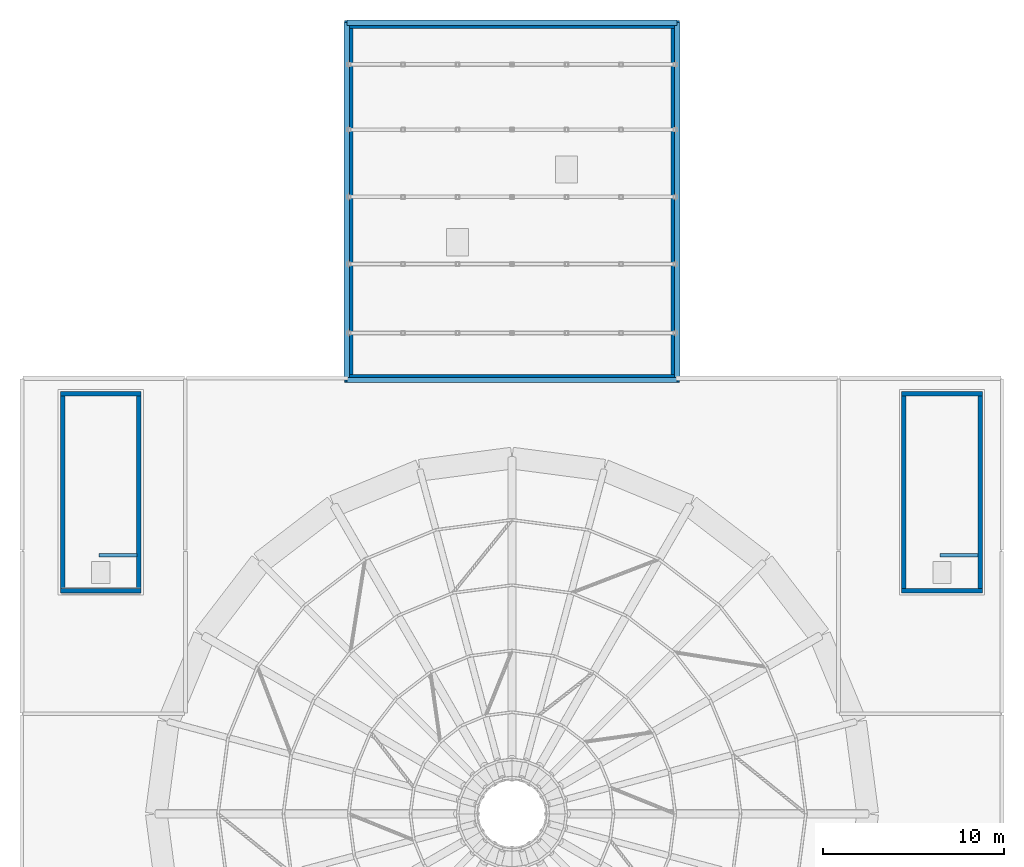
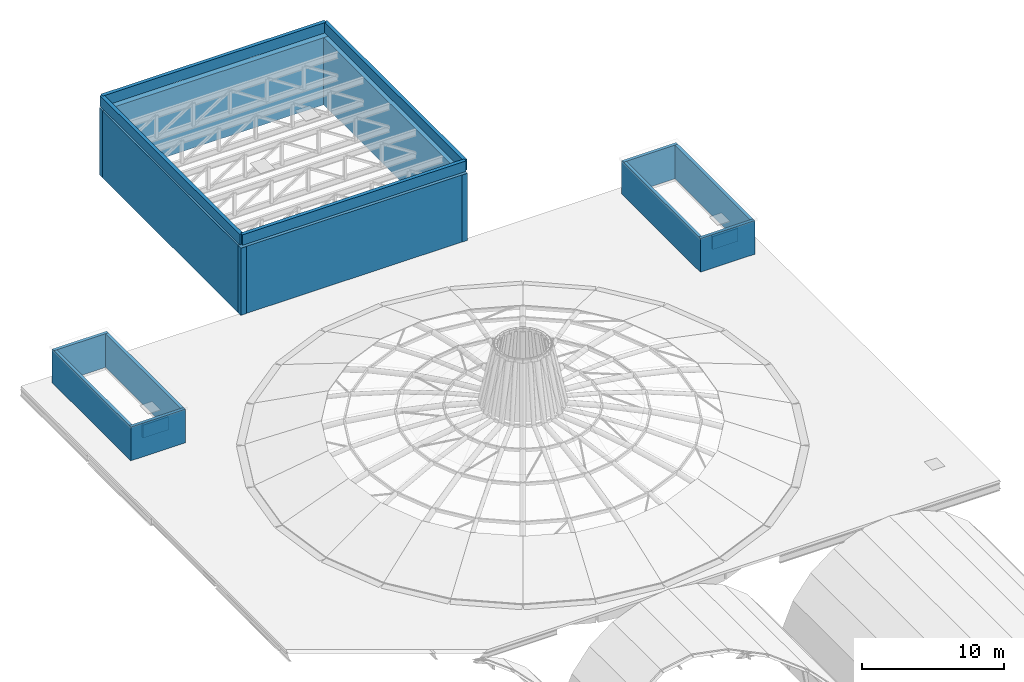
# One storey, part 22 of 25: 18 walls.
"""IFC4 building model written with IfcOpenShell, lengths in metres."""

import ifcopenshell
import ifcopenshell.guid

model = None  # the IFC model being written
_history = None  # IfcOwnerHistory: only IFC2X3 demands one
_inside = {}  # id of a spatial element -> (the spatial element, [elements in it])
_under = {}  # id of a project, library or spatial element -> (it, [spatial elements below it])
_declared = {}  # id of a project -> (the project, [libraries it declares])
_typed = {}  # id of a type object -> (the type object, [elements of that type])
_made_of = {}  # id of a material, layer set ... -> (it, [elements and type objects made of it])


def new_model(schema):
    """Start an empty IFC model of exactly this schema.

    Asked for "IFC4X3", IfcOpenShell would pick the latest addendum, in which some entities
    have other attributes; the version numbers below select the first issue.
    IFC2X3 requires an IfcOwnerHistory on every rooted entity: one is made here for all.
    """
    global model, _history
    if schema == "IFC4X3":
        model = ifcopenshell.file(schema_version=(4, 3, 0, 0))
    else:
        model = ifcopenshell.file(schema=schema)
    _inside.clear()
    _under.clear()
    _declared.clear()
    _typed.clear()
    _made_of.clear()
    _history = None
    if model.schema == "IFC2X3":
        org = make("IfcOrganization", Name="unknown")
        user = make(
            "IfcPersonAndOrganization",
            ThePerson=make("IfcPerson", FamilyName="unknown"),
            TheOrganization=org,
        )
        app = make(
            "IfcApplication",
            ApplicationDeveloper=org,
            Version="unknown",
            ApplicationFullName="unknown",
            ApplicationIdentifier="unknown",
        )
        _history = make(
            "IfcOwnerHistory",
            OwningUser=user,
            OwningApplication=app,
            ChangeAction="ADDED",
            CreationDate=0,
        )
    return model


def make(cls, **values):
    """One entity of the class cls with the attributes given. An attribute that is None is left unset."""
    return model.create_entity(
        cls, **{name: value for name, value in values.items() if value is not None}
    )


def rooted(cls, **values):
    """An entity with a GlobalId (a new one), such as an element, a storey or a relation."""
    return make(cls, GlobalId=ifcopenshell.guid.new(), OwnerHistory=_history, **values)


def si_unit(unit_type, name, prefix=None):
    """IfcSIUnit, for example si_unit("LENGTHUNIT", "METRE", prefix="MILLI")."""
    return make("IfcSIUnit", UnitType=unit_type, Prefix=prefix, Name=name)


def assignment(units):
    """IfcUnitAssignment: the units of a project."""
    return None if units is None else make("IfcUnitAssignment", Units=units)


def point(xyz):
    """IfcCartesianPoint."""
    return None if xyz is None else make("IfcCartesianPoint", Coordinates=xyz)


def direction(xyz):
    """IfcDirection."""
    return None if xyz is None else make("IfcDirection", DirectionRatios=xyz)


def frame(location, z_axis=None, x_axis=None):
    """IfcAxis2Placement3D, a coordinate frame: its origin and axes. An axis left out is left unset."""
    return make(
        "IfcAxis2Placement3D",
        Location=point(location),
        Axis=direction(z_axis),
        RefDirection=direction(x_axis),
    )


def frame_2d(location, x_axis=None):
    """IfcAxis2Placement2D, a coordinate frame in the plane: its origin and x axis."""
    return make(
        "IfcAxis2Placement2D", Location=point(location), RefDirection=direction(x_axis)
    )


def origin():
    """The frame at (0, 0, 0) with its axes left unset."""
    return frame((0.0, 0.0, 0.0))


def place(relative_to, where):
    """IfcLocalPlacement: puts the frame where relative to a parent placement (None: the world)."""
    return make(
        "IfcLocalPlacement", PlacementRelTo=relative_to, RelativePlacement=where
    )


def context(
    kind, dimensions, precision=None, world=None, true_north=None, identifier=None
):
    """IfcGeometricRepresentationContext, for example the 3D "Model" context."""
    return make(
        "IfcGeometricRepresentationContext",
        ContextIdentifier=identifier,
        ContextType=kind,
        CoordinateSpaceDimension=dimensions,
        Precision=precision,
        WorldCoordinateSystem=world,
        TrueNorth=true_north,
    )


def subcontext(parent, identifier, kind, view, scale=None):
    """IfcGeometricRepresentationSubContext, for example "Body" below "Model"."""
    return make(
        "IfcGeometricRepresentationSubContext",
        ContextIdentifier=identifier,
        ContextType=kind,
        ParentContext=parent,
        TargetScale=scale,
        TargetView=view,
    )


def project(units=None, contexts=None):
    """IfcProject with its units and contexts."""
    return rooted(
        "IfcProject",
        Name="project",
        RepresentationContexts=contexts,
        UnitsInContext=assignment(units),
    )


def spatial(cls, under=None, at=None, **own):
    """A site, building, storey or space (cls), placed at a placement, below another one or the project."""
    s = rooted(cls, ObjectPlacement=at, **own)
    if under is not None:
        _under.setdefault(under.id(), (under, []))[1].append(s)
    return s


def profile(cls, at=None, kind="AREA", **sizes):
    """A parametric profile (cls). Its sizes go by their IFC names, for example OverallWidth=200.0."""
    return make(cls, ProfileType=kind, Position=at, **sizes)


def rectangle(**sizes):
    """IfcRectangleProfileDef."""
    return profile("IfcRectangleProfileDef", **sizes)


def extrude(swept, where, along, depth):
    """IfcExtrudedAreaSolid: the profile swept, set in the frame where, extruded along a direction by depth."""
    return make(
        "IfcExtrudedAreaSolid",
        SweptArea=swept,
        Position=where,
        ExtrudedDirection=direction(along),
        Depth=depth,
    )


def shape(context_of_items, identifier, shape_type, items):
    """IfcShapeRepresentation: the items that make up one representation, for example the "Body"."""
    return make(
        "IfcShapeRepresentation",
        ContextOfItems=context_of_items,
        RepresentationIdentifier=identifier,
        RepresentationType=shape_type,
        Items=items,
    )


def material(Name=None, Category=None):
    """IfcMaterial."""
    return make("IfcMaterial", Name=Name, Category=Category)


def layer(
    of_material, thickness, ventilated=None, Name=None, Category=None, Priority=None
):
    """IfcMaterialLayer: one layer of a wall or slab, of a material (None: an air gap)."""
    return make(
        "IfcMaterialLayer",
        Material=of_material,
        LayerThickness=thickness,
        IsVentilated=ventilated,
        Name=Name,
        Category=Category,
        Priority=Priority,
    )


def layer_set(layers, Name=None):
    """IfcMaterialLayerSet."""
    return make("IfcMaterialLayerSet", MaterialLayers=layers, LayerSetName=Name)


def made_of(thing, what):
    """Note that an element or type object is made of a material, layer set ...; save() writes the relation."""
    if what is not None:
        _made_of.setdefault(what.id(), (what, []))[1].append(thing)
    return thing


def type_object(cls, material=None, **own):
    """A type object (cls), such as IfcWallType, which elements share."""
    return made_of(rooted(cls, **own), material)


def element(
    cls,
    number,
    at=None,
    inside=None,
    cuts=None,
    type_object=None,
    material=None,
    context=None,
    identifier="Body",
    shape_type=None,
    held_by="IfcProductDefinitionShape",
    body=None,
    shapes=None,
    **own,
):
    """One element of the class cls, such as IfcWall. Its Tag is "e" and its number.

    at: its placement. inside: the storey or other place that contains it. cuts: it is an
    opening in that element (IfcRelVoidsElement). A single representation is given by context,
    identifier, shape_type and body (its items); several are given by shapes. held_by: the class
    of the entity that holds the representations. save() writes the other relations.
    """
    e = rooted(cls, Tag="e%d" % number, ObjectPlacement=at, **own)
    if body is not None:
        shapes = [shape(context, identifier, shape_type, body)]
    if shapes is not None:
        e.Representation = make(held_by, Representations=shapes)
    if inside is not None:
        _inside.setdefault(inside.id(), (inside, []))[1].append(e)
    if cuts is not None:
        rooted(
            "IfcRelVoidsElement", RelatingBuildingElement=cuts, RelatedOpeningElement=e
        )
    if type_object is not None:
        _typed.setdefault(type_object.id(), (type_object, []))[1].append(e)
    return made_of(e, material)


def aggregate(whole, parts):
    """IfcRelAggregates: a whole, such as a stair, and the parts it consists of."""
    return rooted("IfcRelAggregates", RelatingObject=whole, RelatedObjects=parts)


def save(model, path):
    """Write the relations noted so far, then the file.

    IfcRelAggregates (storeys below a building ...), IfcRelContainedInSpatialStructure (elements
    in a storey), IfcRelDefinesByType, IfcRelAssociatesMaterial and IfcRelDeclares: one each for
    every whole, place, type object, material and project.
    """
    for whole, parts in _under.values():
        aggregate(whole, parts)
    for where, things in _inside.values():
        rooted(
            "IfcRelContainedInSpatialStructure",
            RelatedElements=things,
            RelatingStructure=where,
        )
    for kind, things in _typed.values():
        rooted("IfcRelDefinesByType", RelatedObjects=things, RelatingType=kind)
    for what, things in _made_of.values():
        rooted("IfcRelAssociatesMaterial", RelatedObjects=things, RelatingMaterial=what)
    for by, libraries in _declared.values():
        rooted("IfcRelDeclares", RelatingContext=by, RelatedDefinitions=libraries)
    model.write(path)


model = new_model("IFC4")

# Units and contexts
model_context = context("Model", 3, precision=1e-05, world=origin(), true_north=direction((0.0, 1.0)))
body_context = subcontext(model_context, "Body", "Model", "MODEL_VIEW")
ifc_project = project(units=[si_unit("LENGTHUNIT", "METRE"), si_unit("AREAUNIT", "SQUARE_METRE"), si_unit("VOLUMEUNIT", "CUBIC_METRE"), si_unit("PLANEANGLEUNIT", "RADIAN"), si_unit("MASSUNIT", "GRAM", prefix="KILO")], contexts=[model_context])

# Site, building, storey
site_placement = place(None, origin())
site = spatial("IfcSite", under=ifc_project, at=site_placement, CompositionType="ELEMENT")
building_placement = place(site_placement, origin())
building = spatial("IfcBuilding", under=site, at=building_placement, Name="Marnock Terrace Opera House", CompositionType="ELEMENT")
storey_placement = place(building_placement, frame((0.0, 0.0, 28.199951171875)))
storey = spatial("IfcBuildingStorey", under=building, at=storey_placement, Name="RF", CompositionType="ELEMENT", Elevation=28.199951171875)

# Walls
ifc_material_1 = material(Name="Pale hydraulic lime architectural render on masonry", Category="masonry")
ifc_layer_1 = layer(ifc_material_1, 0.199951171875)
ifc_layer_set_1 = layer_set([ifc_layer_1], Name="Pale hydraulic lime architectural render on masonry")
wall_type_1 = type_object("IfcWallType", Name="EW-CURB-200", PredefinedType="PARAPET", material=ifc_layer_set_1)
wall_1_placement = place(storey_placement, frame((61.320068359375, 74.75, 0.0), z_axis=(0.0, 0.0, 1.0), x_axis=(-1.0, 0.0, 0.0)))
element("IfcWall", 1, at=wall_1_placement, inside=storey, type_object=wall_type_1, Name="RF Core C3 stairwell internal guard curb 1", PredefinedType="PARAPET", context=body_context, shape_type="SweptSolid", body=[
    extrude(rectangle(XDim=2.080078125, YDim=0.199951171875, at=frame_2d((1.0400390625, 0.0))), origin(), (0.0, 0.0, 1.0), 1.1201171875),
])
wall_2_placement = place(storey_placement, frame((107.679931640625, 74.75, 0.0), z_axis=(0.0, 0.0, 1.0), x_axis=(-1.0, 0.0, 0.0)))
element("IfcWall", 2, at=wall_2_placement, inside=storey, type_object=wall_type_1, Name="RF Core C4 stairwell internal guard curb 1", PredefinedType="PARAPET", context=body_context, shape_type="SweptSolid", body=[
    extrude(rectangle(XDim=2.079833984375, YDim=0.199951171875, at=frame_2d((1.0400390625, 0.0))), origin(), (0.0, 0.0, 1.0), 1.1201171875),
])
ifc_material_2 = material(Name="Basket Range sandstone ashlar masonry", Category="masonry")
ifc_layer_2 = layer(ifc_material_2, 0.2900390625)
ifc_layer_set_2 = layer_set([ifc_layer_2], Name="Basket Range sandstone ashlar masonry")
wall_type_2 = type_object("IfcWallType", Name="EW-PARA-290", PredefinedType="PARAPET", material=ifc_layer_set_2)
for number, where, z_axis, x_axis, name in (
    (3, (72.89990234375, 104.10009765625, 6.0), (0.0, 0.0, 1.0), (1.0, 0.0, 0.0), "Stone parapet PARA-FLY-N"),
    (4, (72.89990234375, 84.39990234375, 6.0), (0.0, 0.0, 1.0), (1.0, 0.0, 0.0), "Stone parapet PARA-FLY-S"),
):
    element("IfcWall", number, at=place(storey_placement, frame(where, z_axis=z_axis, x_axis=x_axis)), inside=storey, type_object=wall_type_2, Name=name, PredefinedType="PARAPET", context=body_context, shape_type="SweptSolid", body=[
        extrude(rectangle(XDim=18.2001953125, YDim=0.2900390625, at=frame_2d((9.10009765625, 0.0))), origin(), (0.0, 0.0, 1.0), 0.900146484375),
    ])
for number, where, z_axis, x_axis, name in (
    (5, (72.89990234375, 84.39990234375, 6.0), (0.0, 0.0, 1.0), (0.0, 1.0, 0.0), "Stone parapet PARA-FLY-W"),
    (6, (91.10009765625, 84.39990234375, 6.0), (0.0, 0.0, 1.0), (0.0, 1.0, 0.0), "Stone parapet PARA-FLY-E"),
):
    element("IfcWall", number, at=place(storey_placement, frame(where, z_axis=z_axis, x_axis=x_axis)), inside=storey, type_object=wall_type_2, Name=name, PredefinedType="PARAPET", context=body_context, shape_type="SweptSolid", body=[
        extrude(rectangle(XDim=19.7001953125, YDim=0.2900390625, at=frame_2d((9.85009765625, 0.0))), origin(), (0.0, 0.0, 1.0), 0.900146484375),
    ])
ifc_material_3 = material(Name="Concrete N40 (f'c = 40 MPa)", Category="concrete")
ifc_layer_3 = layer(ifc_material_3, 0.25)
ifc_layer_set_3 = layer_set([ifc_layer_3], Name="Concrete N40 (f'c = 40 MPa)")
wall_type_3 = type_object("IfcWallType", Name="SW-CORE-250", PredefinedType="SHEAR", material=ifc_layer_set_3)
for number, where, z_axis, x_axis, name in (
    (7, (57.114990234375, 72.800048828125, 0.0), (0.0, 0.0, 1.0), (1.0, 0.0, 0.0), "RF Core C3 roof head-house wall S"),
    (8, (57.114990234375, 83.639892578125, 0.0), (0.0, 0.0, 1.0), (1.0, 0.0, 0.0), "RF Core C3 roof head-house wall N"),
):
    element("IfcWall", number, at=place(storey_placement, frame(where, z_axis=z_axis, x_axis=x_axis)), inside=storey, type_object=wall_type_3, Name=name, PredefinedType="SHEAR", context=body_context, shape_type="SweptSolid", body=[
        extrude(rectangle(XDim=4.449951171875, YDim=0.25, at=frame_2d((2.22509765625, 0.0))), origin(), (0.0, 0.0, 1.0), 2.900146484375),
    ])
for number, where, z_axis, x_axis, name in (
    (9, (57.239990234375, 72.675048828125, 0.0), (0.0, 0.0, 1.0), (0.0, 1.0, 0.0), "RF Core C3 roof head-house wall W"),
    (10, (61.43994140625, 72.675048828125, 0.0), (0.0, 0.0, 1.0), (0.0, 1.0, 0.0), "RF Core C3 roof head-house wall E"),
):
    element("IfcWall", number, at=place(storey_placement, frame(where, z_axis=z_axis, x_axis=x_axis)), inside=storey, type_object=wall_type_3, Name=name, PredefinedType="SHEAR", context=body_context, shape_type="SweptSolid", body=[
        extrude(rectangle(XDim=11.08984375, YDim=0.25, at=frame_2d((5.544921875, 0.0))), origin(), (0.0, 0.0, 1.0), 2.900146484375),
    ])
for number, where, z_axis, x_axis, name in (
    (11, (103.47509765625, 72.800048828125, 0.0), (0.0, 0.0, 1.0), (1.0, 0.0, 0.0), "RF Core C4 roof head-house wall S"),
    (12, (103.47509765625, 83.639892578125, 0.0), (0.0, 0.0, 1.0), (1.0, 0.0, 0.0), "RF Core C4 roof head-house wall N"),
):
    element("IfcWall", number, at=place(storey_placement, frame(where, z_axis=z_axis, x_axis=x_axis)), inside=storey, type_object=wall_type_3, Name=name, PredefinedType="SHEAR", context=body_context, shape_type="SweptSolid", body=[
        extrude(rectangle(XDim=4.449951171875, YDim=0.25, at=frame_2d((2.22509765625, 0.0))), origin(), (0.0, 0.0, 1.0), 2.900146484375),
    ])
for number, where, z_axis, x_axis, name in (
    (13, (103.60009765625, 72.675048828125, 0.0), (0.0, 0.0, 1.0), (0.0, 1.0, 0.0), "RF Core C4 roof head-house wall W"),
    (14, (107.800048828125, 72.675048828125, 0.0), (0.0, 0.0, 1.0), (0.0, 1.0, 0.0), "RF Core C4 roof head-house wall E"),
):
    element("IfcWall", number, at=place(storey_placement, frame(where, z_axis=z_axis, x_axis=x_axis)), inside=storey, type_object=wall_type_3, Name=name, PredefinedType="SHEAR", context=body_context, shape_type="SweptSolid", body=[
        extrude(rectangle(XDim=11.08984375, YDim=0.25, at=frame_2d((5.544921875, 0.0))), origin(), (0.0, 0.0, 1.0), 2.900146484375),
    ])
ifc_material_4 = material(Name="Concrete N50 (f'c = 50 MPa)", Category="concrete")
ifc_layer_4 = layer(ifc_material_4, 0.449951171875)
ifc_layer_set_4 = layer_set([ifc_layer_4], Name="Concrete N50 (f'c = 50 MPa)")
wall_type_4 = type_object("IfcWallType", Name="SW-FLY-450", PredefinedType="SHEAR", material=ifc_layer_set_4)
wall_3_placement = place(storey_placement, frame((72.77490234375, 104.0, 0.0), z_axis=(0.0, 0.0, 1.0), x_axis=(1.0, 0.0, 0.0)))
element("IfcWall", 15, at=wall_3_placement, inside=storey, type_object=wall_type_4, Name="RF Fly Tower north shear wall", PredefinedType="SHEAR", context=body_context, shape_type="SweptSolid", body=[
    extrude(rectangle(XDim=18.4501953125, YDim=0.449951171875, at=frame_2d((9.22509765625, 0.0))), origin(), (0.0, 0.0, 1.0), 5.780029296875),
])
for number, where, z_axis, x_axis, name in (
    (16, (73.0, 84.27490234375, 0.0), (0.0, 0.0, 1.0), (0.0, 1.0, 0.0), "RF Fly Tower west shear wall"),
    (17, (91.0, 84.27490234375, 0.0), (0.0, 0.0, 1.0), (0.0, 1.0, 0.0), "RF Fly Tower east shear wall"),
):
    element("IfcWall", number, at=place(storey_placement, frame(where, z_axis=z_axis, x_axis=x_axis)), inside=storey, type_object=wall_type_4, Name=name, PredefinedType="SHEAR", context=body_context, shape_type="SweptSolid", body=[
        extrude(rectangle(XDim=19.9501953125, YDim=0.449951171875, at=frame_2d((9.97509765625, 0.0))), origin(), (0.0, 0.0, 1.0), 5.780029296875),
    ])
ifc_layer_5 = layer(ifc_material_4, 0.419921875)
ifc_layer_set_5 = layer_set([ifc_layer_5], Name="Concrete N50 (f'c = 50 MPa)")
wall_type_5 = type_object("IfcWallType", Name="SW-PROSC-420", PredefinedType="SHEAR", material=ifc_layer_set_5)
wall_4_placement = place(storey_placement, frame((72.77490234375, 84.5, 0.0), z_axis=(0.0, 0.0, 1.0), x_axis=(1.0, 0.0, 0.0)))
element("IfcWall", 18, at=wall_4_placement, inside=storey, type_object=wall_type_5, Name="RF Fly Tower proscenium fire shear wall", PredefinedType="SHEAR", context=body_context, shape_type="SweptSolid", body=[
    extrude(rectangle(XDim=18.4501953125, YDim=0.419921875, at=frame_2d((9.22509765625, 0.0))), origin(), (0.0, 0.0, 1.0), 5.780029296875),
])

save(model, "model.ifc")
